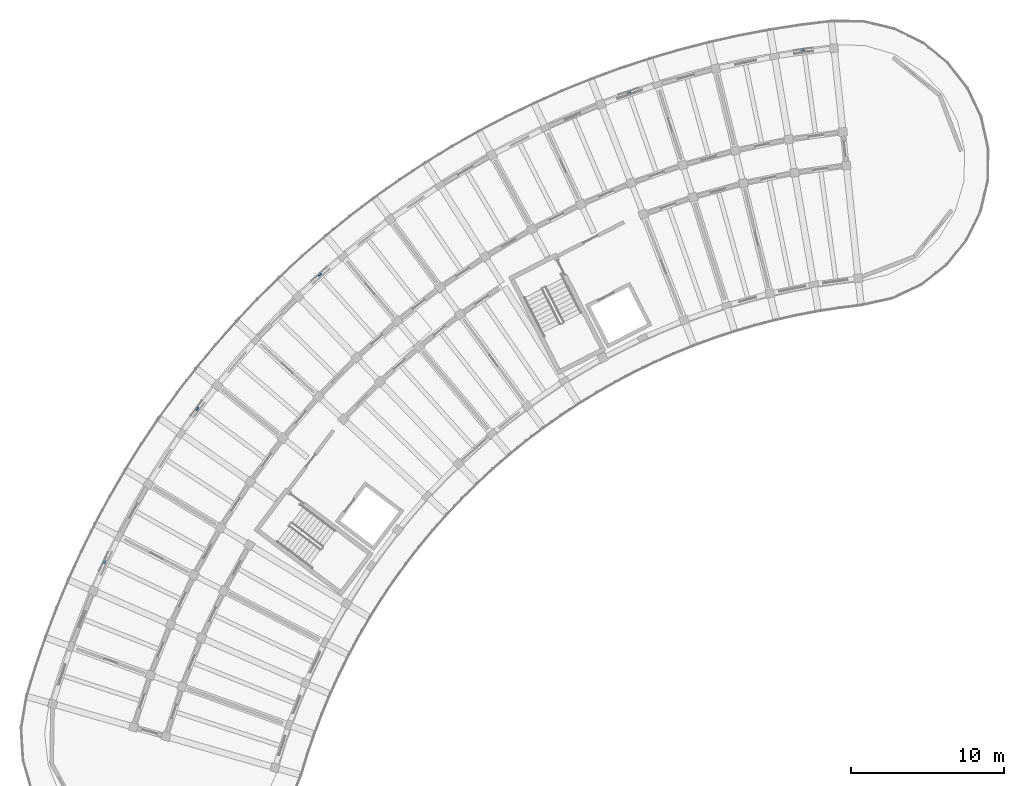
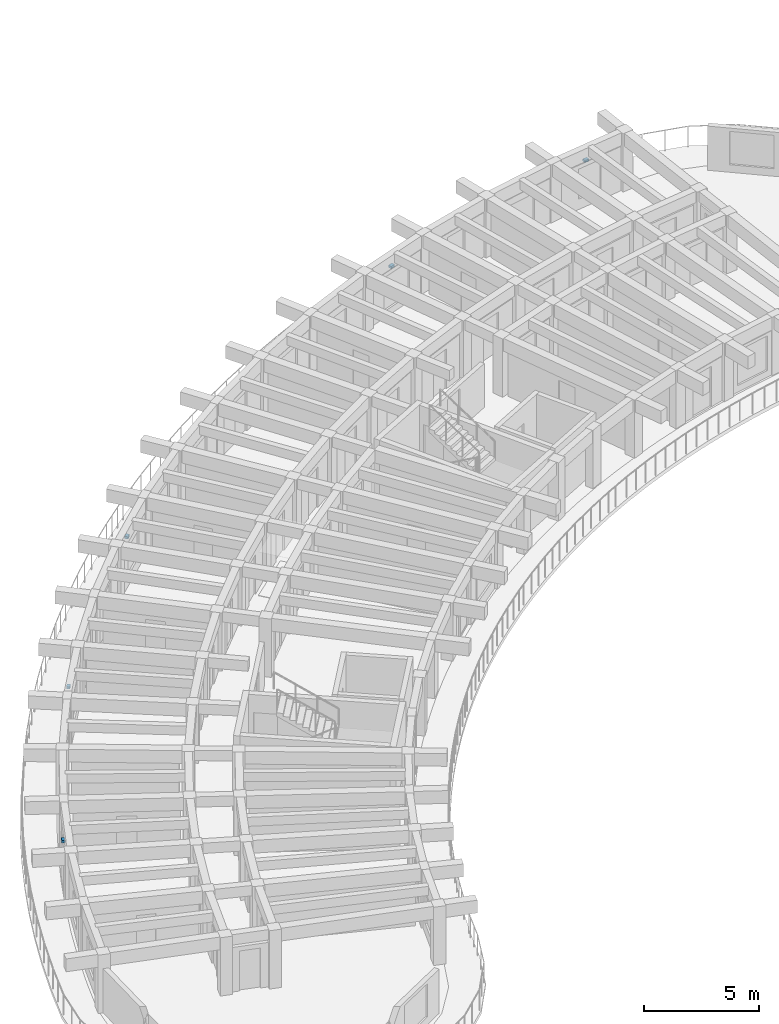
# One storey, part 62 of 81: 5 discrete accessories.
"""IFC4 building model written with IfcOpenShell, lengths in metres."""

from ifc_helpers import new_model, si_unit, direction, frame, origin, origin_2d, place, context, subcontext, project, spatial, rectangle, extrude, material, type_object, element, save


model = new_model("IFC4")

# Units and contexts
model_context = context("Model", 3, precision=1e-05, world=origin(), true_north=direction((0.0, 1.0)))
body_context = subcontext(model_context, "Body", "Model", "MODEL_VIEW")
ifc_project = project(units=[si_unit("LENGTHUNIT", "METRE"), si_unit("AREAUNIT", "SQUARE_METRE"), si_unit("VOLUMEUNIT", "CUBIC_METRE"), si_unit("PLANEANGLEUNIT", "RADIAN"), si_unit("MASSUNIT", "GRAM", prefix="KILO")], contexts=[model_context])

# Site, building, storey
site_placement = place(None, origin())
site = spatial("IfcSite", under=ifc_project, at=site_placement, CompositionType="ELEMENT")
building_placement = place(site_placement, origin())
building = spatial("IfcBuilding", under=site, at=building_placement, Name="Tanwirah Colonnade Gardens", CompositionType="ELEMENT")
storey_placement = place(building_placement, frame((0.0, 0.0, 8.840087890625)))
storey = spatial("IfcBuildingStorey", under=building, at=storey_placement, Name="L02", CompositionType="ELEMENT", Elevation=8.840087890625)

# Discrete accessories
ifc_material = material(Name="Steel S355", Category="steel")
discrete_accessory_type = type_object("IfcDiscreteAccessoryType", Name="BRK-SS1", PredefinedType="BRACKET", material=ifc_material)
for number, where, z_axis, x_axis, name in (
    (1, (56.765380859375, 119.3193359375, 2.14990234375), (0.0, 0.0, 1.0), (-0.990536278911, -0.137251157233, 0.0), "Solar screen support bracket A-L02-00"),
    (2, (45.38818359375, 116.576416015625, 2.14990234375), (0.0, 0.0, 1.0), (-0.944248569489, -0.329233411151, 0.0), "Solar screen support bracket A-L02-03"),
    (3, (25.17724609375, 104.6640625, 2.034912109375), (0.0, 0.0, 1.0), (-0.744443246346, -0.667685744172, 0.0), "Solar screen support bracket A-L02-09"),
    (4, (17.1650390625, 95.9033203125, 2.14990234375), (0.0, 0.0, 1.0), (-0.598713571255, -0.800963207392, 0.0), "Solar screen support bracket A-L02-12"),
    (5, (11.117919921875, 85.88330078125, 2.14990234375), (0.0, 0.0, 1.0), (-0.429636092721, -0.903002119506, 0.0), "Solar screen support bracket A-L02-15"),
):
    element("IfcDiscreteAccessory", number, at=place(storey_placement, frame(where, z_axis=z_axis, x_axis=x_axis)), inside=storey, type_object=discrete_accessory_type, Name=name, PredefinedType="BRACKET", context=body_context, shape_type="SweptSolid", body=[
        extrude(rectangle(XDim=0.219970703125, YDim=0.159912109375, at=origin_2d()), origin(), (0.0, 0.0, 1.0), 0.1201171875),
    ])

save(model, "model.ifc")
